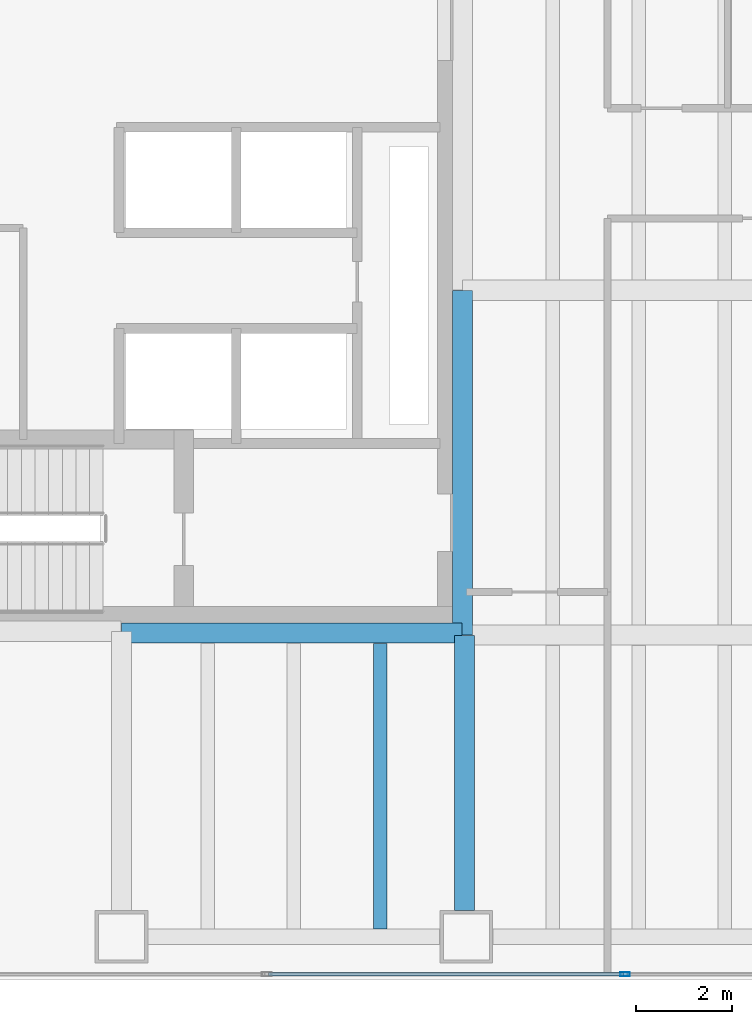
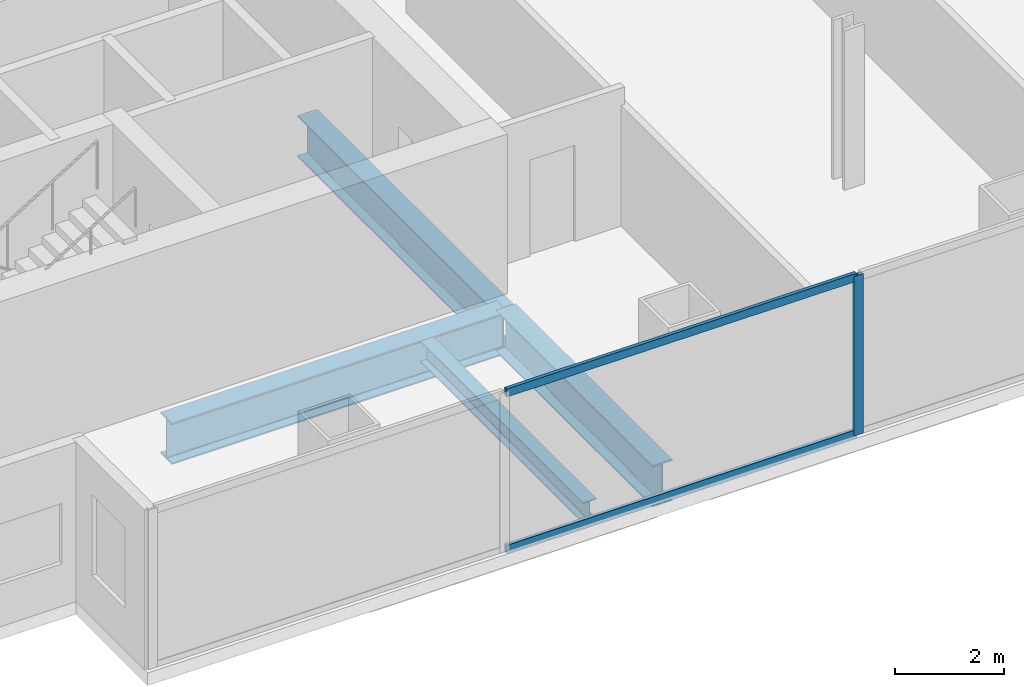
# One storey, part 3 of 25: 4 beams, 3 members, 1 element without a shape of its own.
"""IFC4 building model written with IfcOpenShell, lengths in metres."""

from ifc_helpers import new_model, si_unit, direction, frame, origin, origin_2d, place, context, subcontext, project, spatial, hollow_rectangle, i_section, extrude, material, material_profile, profile_set, type_object, element, aggregate, save


model = new_model("IFC4")

# Units and contexts
model_context = context("Model", 3, precision=1e-05, world=origin(), true_north=direction((0.0, 1.0)))
body_context = subcontext(model_context, "Body", "Model", "MODEL_VIEW")
ifc_project = project(units=[si_unit("LENGTHUNIT", "METRE"), si_unit("AREAUNIT", "SQUARE_METRE"), si_unit("VOLUMEUNIT", "CUBIC_METRE"), si_unit("PLANEANGLEUNIT", "RADIAN"), si_unit("MASSUNIT", "GRAM", prefix="KILO")], contexts=[model_context])

# Site, building, storey
site_placement = place(None, origin())
site = spatial("IfcSite", under=ifc_project, at=site_placement, CompositionType="ELEMENT")
building_placement = place(site_placement, origin())
building = spatial("IfcBuilding", under=site, at=building_placement, Name="Cobrela Telecom Tower", CompositionType="ELEMENT")
storey_placement = place(building_placement, frame((0.0, 0.0, 42.699951171875)))
storey = spatial("IfcBuildingStorey", under=building, at=storey_placement, Name="L10", CompositionType="ELEMENT", Elevation=42.699951171875)

# Beams
ifc_material_1 = material(Name="Steel ASTM A992 Grade 50", Category="steel")
ifc_material_profile_1 = material_profile(ifc_material_1, i_section(OverallWidth=0.4189453125, OverallDepth=0.927001953125, WebThickness=0.019287109375, FlangeThickness=0.031982421875, FilletRadius=0.02392578125, at=origin_2d()), Name="W36X231")
ifc_profile_set_1 = profile_set([ifc_material_profile_1], Name="Steel ASTM A992 Grade 50")
beam_type_1 = type_object("IfcBeamType", Name="BM-GIRD-02", PredefinedType="USERDEFINED", material=ifc_profile_set_1)
beam_1_placement = place(storey_placement, frame((7.205078125, 7.239990234375, -0.743408203125), z_axis=(1.0, 0.0, 0.0), x_axis=(0.0, 1.0, 0.0)))
element("IfcBeam", 1, at=beam_1_placement, inside=storey, type_object=beam_type_1, Name="L10 Primary Girder X07", ObjectType="GIRDER", PredefinedType="USERDEFINED", context=body_context, shape_type="SweptSolid", body=[
    extrude(i_section(OverallWidth=0.4189453125, OverallDepth=0.927001953125, WebThickness=0.019287109375, FlangeThickness=0.031982421875, FilletRadius=0.02392578125, at=origin_2d()), origin(), (0.0, 0.0, 1.0), 7.10986328125),
])
beam_2_placement = place(storey_placement, frame((14.360107421875, 1.455078125, -0.743408203125), z_axis=(0.0, 1.0, 0.0), x_axis=(-1.0, 0.0, 0.0)))
element("IfcBeam", 2, at=beam_2_placement, inside=storey, type_object=beam_type_1, Name="L10 Primary Girder Y34", ObjectType="GIRDER", PredefinedType="USERDEFINED", context=body_context, shape_type="SweptSolid", body=[
    extrude(i_section(OverallWidth=0.4189453125, OverallDepth=0.927001953125, WebThickness=0.019287109375, FlangeThickness=0.031982421875, FilletRadius=0.02392578125, at=origin_2d()), origin(), (0.0, 0.0, 1.0), 5.739990234375),
])
beam_3_placement = place(storey_placement, frame((14.320068359375, 7.205078125, -0.743408203125), z_axis=(0.0, 1.0, 0.0), x_axis=(-1.0, 0.0, 0.0)))
element("IfcBeam", 3, at=beam_3_placement, inside=storey, type_object=beam_type_1, Name="L10 Primary Girder Y35", ObjectType="GIRDER", PredefinedType="USERDEFINED", context=body_context, shape_type="SweptSolid", body=[
    extrude(i_section(OverallWidth=0.4189453125, OverallDepth=0.927001953125, WebThickness=0.019287109375, FlangeThickness=0.031982421875, FilletRadius=0.02392578125, at=origin_2d()), origin(), (0.0, 0.0, 1.0), 7.18994140625),
])
ifc_material_profile_2 = material_profile(ifc_material_1, i_section(OverallWidth=0.281982421875, OverallDepth=0.467041015625, WebThickness=0.01220703125, FlangeThickness=0.01953125, FilletRadius=0.012939453125, at=origin_2d()), Name="W18X86")
ifc_profile_set_2 = profile_set([ifc_material_profile_2], Name="Steel ASTM A992 Grade 50")
beam_type_2 = type_object("IfcBeamType", Name="BM-JOIST-02", PredefinedType="JOIST", material=ifc_profile_set_2)
beam_4_placement = place(storey_placement, frame((12.60009765625, 1.0673828125, -0.513427734375), z_axis=(0.0, 1.0, 0.0), x_axis=(-1.0, 0.0, 0.0)))
element("IfcBeam", 4, at=beam_4_placement, inside=storey, type_object=beam_type_2, Name="L10 Secondary Composite Floor Beam J05", PredefinedType="JOIST", context=body_context, shape_type="SweptSolid", body=[
    extrude(i_section(OverallWidth=0.281982421875, OverallDepth=0.467041015625, WebThickness=0.01220703125, FlangeThickness=0.01953125, FilletRadius=0.012939453125, at=origin_2d()), origin(), (0.0, 0.0, 1.0), 5.9580078125),
])

# Curtain wall, members
ifc_material_2 = material(Name="Anodized Bronze Aluminium 6063-T6", Category="aluminium")
curtain_wall_type = type_object("IfcCurtainWallType", Name="CW-SYS-DATA", PredefinedType="USERDEFINED", material=ifc_material_2)
curtain_wall_placement = place(storey_placement, origin())
curtain_wall = element("IfcCurtainWall", 5, at=curtain_wall_placement, inside=storey, type_object=curtain_wall_type, Name="L10 Unitised Bronze Curtain Wall 17", ObjectType="UNITISED CURTAIN WALL", PredefinedType="USERDEFINED")
ifc_material_profile_3 = material_profile(ifc_material_2, hollow_rectangle(XDim=0.080078125, YDim=0.199951171875, WallThickness=0.00390625, at=origin_2d()), Name="ALU 80x200x4")
ifc_profile_set_3 = profile_set([ifc_material_profile_3], Name="Anodized Bronze Aluminium 6063-T6")
member_type_1 = type_object("IfcMemberType", Name="CW-SYS-DATA-MUL", PredefinedType="MULLION", material=ifc_profile_set_3)
member_1_placement = place(storey_placement, frame((17.716552734375, 0.1201171875, 0.0), z_axis=(0.0, 0.0, 1.0), x_axis=(0.0, -1.0, 0.0)))
member_1 = element("IfcMember", 6, at=member_1_placement, type_object=member_type_1, Name="CW-DATA mullion 5", PredefinedType="MULLION", context=body_context, shape_type="SweptSolid", body=[
    extrude(hollow_rectangle(XDim=0.080078125, YDim=0.199951171875, WallThickness=0.00390625, at=origin_2d()), origin(), (0.0, 0.0, 1.0), 3.570068359375),
])
ifc_material_profile_4 = material_profile(ifc_material_2, hollow_rectangle(XDim=0.074951171875, YDim=0.179931640625, WallThickness=0.00390625, at=origin_2d()), Name="ALU 75x180x4")
ifc_profile_set_4 = profile_set([ifc_material_profile_4], Name="Anodized Bronze Aluminium 6063-T6")
member_type_2 = type_object("IfcMemberType", Name="CW-SYS-DATA-TRN", PredefinedType="USERDEFINED", material=ifc_profile_set_4)
member_2_placement = place(storey_placement, frame((17.6767578125, 0.1201171875, 0.03759765625), z_axis=(-1.0, 0.0, 0.0), x_axis=(0.0, -1.0, 0.0)))
member_2 = element("IfcMember", 7, at=member_2_placement, type_object=member_type_2, Name="CW-DATA transom 5.1", ObjectType="TRANSOM", PredefinedType="USERDEFINED", context=body_context, shape_type="SweptSolid", body=[
    extrude(hollow_rectangle(XDim=0.074951171875, YDim=0.179931640625, WallThickness=0.00390625, at=origin_2d()), origin(), (0.0, 0.0, 1.0), 7.4033203125),
])
member_3_placement = place(storey_placement, frame((17.6767578125, 0.1201171875, 3.532470703125), z_axis=(-1.0, 0.0, 0.0), x_axis=(0.0, -1.0, 0.0)))
member_3 = element("IfcMember", 8, at=member_3_placement, type_object=member_type_2, Name="CW-DATA transom 5.2", ObjectType="TRANSOM", PredefinedType="USERDEFINED", context=body_context, shape_type="SweptSolid", body=[
    extrude(hollow_rectangle(XDim=0.074951171875, YDim=0.179931640625, WallThickness=0.00390625, at=origin_2d()), origin(), (0.0, 0.0, 1.0), 7.4033203125),
])
aggregate(curtain_wall, [member_1, member_2, member_3])

save(model, "model.ifc")
